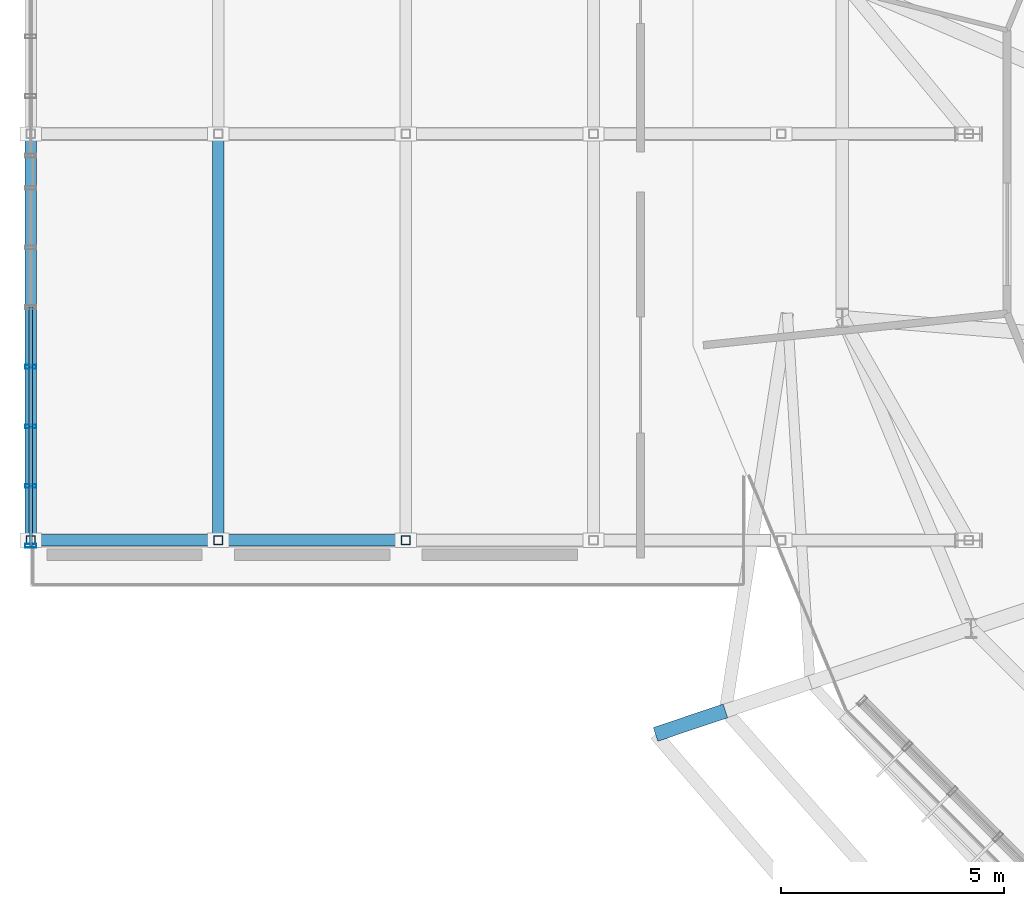
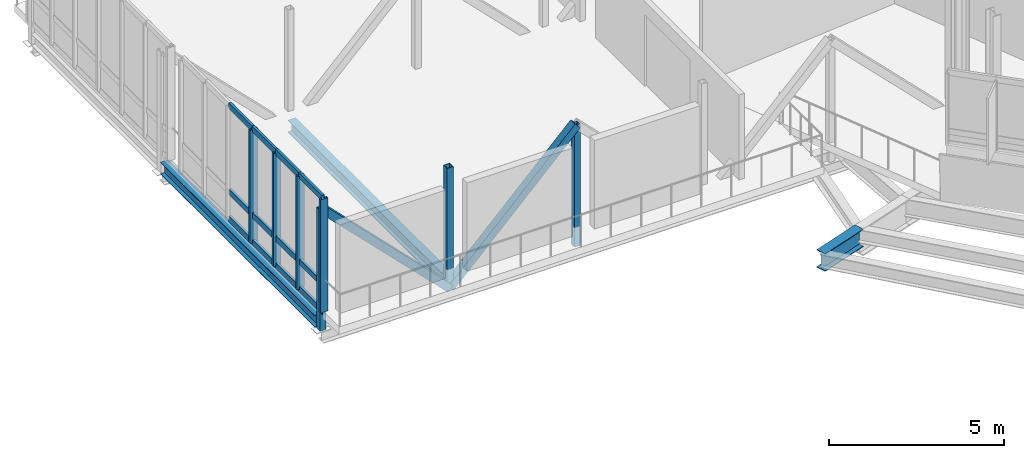
# One storey, part 18 of 107: 21 members, 3 beams, 1 element without a shape of its own.
"""IFC4 building model written with IfcOpenShell, lengths in metres."""

from ifc_helpers import new_model, si_unit, derived_unit, direction, frame, origin, origin_2d, place, context, subcontext, project, spatial, hollow_rectangle, i_section, extrude, material, layer, layer_set, material_profile, profile_set, type_object, element, aggregate, save


model = new_model("IFC4")

# Units and contexts
model_context = context("Model", 3, precision=1e-05, world=origin(), true_north=direction((0.0, 1.0)))
body_context = subcontext(model_context, "Body", "Model", "MODEL_VIEW")
ifc_project = project(units=[si_unit("LENGTHUNIT", "METRE"), si_unit("AREAUNIT", "SQUARE_METRE"), si_unit("VOLUMEUNIT", "CUBIC_METRE"), si_unit("PLANEANGLEUNIT", "RADIAN"), si_unit("MASSUNIT", "GRAM", prefix="KILO"), derived_unit("THERMALTRANSMITTANCEUNIT", [(si_unit("MASSUNIT", "GRAM", prefix="KILO"), 1), (si_unit("TIMEUNIT", "SECOND"), -3), (si_unit("THERMODYNAMICTEMPERATUREUNIT", "KELVIN"), -1)])], contexts=[model_context])

# Site, building, storey
site_placement = place(None, origin())
site = spatial("IfcSite", under=ifc_project, at=site_placement, CompositionType="ELEMENT")
building_placement = place(site_placement, origin())
building = spatial("IfcBuilding", under=site, at=building_placement, Name="Makaiwela Harbour Ferry Terminal", CompositionType="ELEMENT")
storey_placement = place(building_placement, frame((0.0, 0.0, 9.60009765625)))
storey = spatial("IfcBuildingStorey", under=building, at=storey_placement, Name="L02", CompositionType="ELEMENT", Elevation=9.60009765625)

# Curtain wall, members
ifc_material_1 = material(Name="Marine anodised aluminium 6063-T6", Category="aluminium")
ifc_layer = layer(ifc_material_1, 0.199951171875)
ifc_layer_set = layer_set([ifc_layer], Name="Marine anodised aluminium 6063-T6")
curtain_wall_type = type_object("IfcCurtainWallType", Name="ENV-CW-23", PredefinedType="USERDEFINED", material=ifc_layer_set)
curtain_wall_placement = place(storey_placement, origin())
curtain_wall = element("IfcCurtainWall", 1, at=curtain_wall_placement, inside=storey, type_object=curtain_wall_type, Name="Unitised Curtain Wall CWA-138", ObjectType="UNITIZED CURTAIN WALL", PredefinedType="USERDEFINED")
ifc_material_profile_1 = material_profile(ifc_material_1, hollow_rectangle(XDim=0.0849609375, YDim=0.25, WallThickness=0.0048828125, at=origin_2d()), Name="CWM-250X85")
ifc_profile_set_1 = profile_set([ifc_material_profile_1], Name="Marine anodised aluminium 6063-T6")
member_type_1 = type_object("IfcMemberType", Name="CW-MUL-250", PredefinedType="MULLION", material=ifc_profile_set_1)
member_1_placement = place(storey_placement, frame((0.0, 59.22998046875, 0.0), z_axis=(0.0, 0.0, 1.0), x_axis=(0.0, 1.0, 0.0)))
member_1 = element("IfcMember", 2, at=member_1_placement, type_object=member_type_1, Name="Curtain Wall Mullion CWA-138-1", PredefinedType="MULLION", context=body_context, shape_type="SweptSolid", body=[
    extrude(hollow_rectangle(XDim=0.0849609375, YDim=0.25, WallThickness=0.0048828125, at=origin_2d()), origin(), (0.0, 0.0, 1.0), 3.949951171875),
])
member_2_placement = place(storey_placement, frame((0.0, 60.56494140625, 0.0), z_axis=(0.0, 0.0, 1.0), x_axis=(0.0, 1.0, 0.0)))
member_2 = element("IfcMember", 3, at=member_2_placement, type_object=member_type_1, Name="Curtain Wall Mullion CWA-138-2", PredefinedType="MULLION", context=body_context, shape_type="SweptSolid", body=[
    extrude(hollow_rectangle(XDim=0.0849609375, YDim=0.25, WallThickness=0.0048828125, at=origin_2d()), origin(), (0.0, 0.0, 1.0), 3.949951171875),
])
member_3_placement = place(storey_placement, frame((0.0, 61.89990234375, 0.0), z_axis=(0.0, 0.0, 1.0), x_axis=(0.0, 1.0, 0.0)))
member_3 = element("IfcMember", 4, at=member_3_placement, type_object=member_type_1, Name="Curtain Wall Mullion CWA-138-3", PredefinedType="MULLION", context=body_context, shape_type="SweptSolid", body=[
    extrude(hollow_rectangle(XDim=0.0849609375, YDim=0.25, WallThickness=0.0048828125, at=origin_2d()), origin(), (0.0, 0.0, 1.0), 3.949951171875),
])
member_4_placement = place(storey_placement, frame((0.0, 63.235107421875, 0.0), z_axis=(0.0, 0.0, 1.0), x_axis=(0.0, 1.0, 0.0)))
member_4 = element("IfcMember", 5, at=member_4_placement, type_object=member_type_1, Name="Curtain Wall Mullion CWA-138-4", PredefinedType="MULLION", context=body_context, shape_type="SweptSolid", body=[
    extrude(hollow_rectangle(XDim=0.0849609375, YDim=0.25, WallThickness=0.0048828125, at=origin_2d()), origin(), (0.0, 0.0, 1.0), 3.949951171875),
])
ifc_material_profile_2 = material_profile(ifc_material_1, hollow_rectangle(XDim=0.0849609375, YDim=0.199951171875, WallThickness=0.0048828125, at=origin_2d()), Name="CWT-200X85")
ifc_profile_set_2 = profile_set([ifc_material_profile_2], Name="Marine anodised aluminium 6063-T6")
member_type_2 = type_object("IfcMemberType", Name="CW-TRN-200", PredefinedType="USERDEFINED", material=ifc_profile_set_2)
member_5_placement = place(storey_placement, frame((0.0, 59.22998046875, 0.0), z_axis=(0.0, 1.0, 0.0), x_axis=(-1.0, 0.0, 0.0)))
member_5 = element("IfcMember", 6, at=member_5_placement, type_object=member_type_2, Name="Curtain Wall Transom CWA-138-1-1", ObjectType="TRANSOM", PredefinedType="USERDEFINED", context=body_context, shape_type="SweptSolid", body=[
    extrude(hollow_rectangle(XDim=0.0849609375, YDim=0.199951171875, WallThickness=0.0048828125, at=origin_2d()), origin(), (0.0, 0.0, 1.0), 1.3349609375),
])
member_6_placement = place(storey_placement, frame((0.0, 59.22998046875, 0.949951171875), z_axis=(0.0, 1.0, 0.0), x_axis=(-1.0, 0.0, 0.0)))
member_6 = element("IfcMember", 7, at=member_6_placement, type_object=member_type_2, Name="Curtain Wall Transom CWA-138-1-2", ObjectType="TRANSOM", PredefinedType="USERDEFINED", context=body_context, shape_type="SweptSolid", body=[
    extrude(hollow_rectangle(XDim=0.0849609375, YDim=0.199951171875, WallThickness=0.0048828125, at=origin_2d()), origin(), (0.0, 0.0, 1.0), 1.3349609375),
])
member_7_placement = place(storey_placement, frame((0.0, 59.22998046875, 3.949951171875), z_axis=(0.0, 1.0, 0.0), x_axis=(-1.0, 0.0, 0.0)))
member_7 = element("IfcMember", 8, at=member_7_placement, type_object=member_type_2, Name="Curtain Wall Transom CWA-138-1-3", ObjectType="TRANSOM", PredefinedType="USERDEFINED", context=body_context, shape_type="SweptSolid", body=[
    extrude(hollow_rectangle(XDim=0.0849609375, YDim=0.199951171875, WallThickness=0.0048828125, at=origin_2d()), origin(), (0.0, 0.0, 1.0), 1.3349609375),
])
member_8_placement = place(storey_placement, frame((0.0, 60.56494140625, 0.0), z_axis=(0.0, 1.0, 0.0), x_axis=(-1.0, 0.0, 0.0)))
member_8 = element("IfcMember", 9, at=member_8_placement, type_object=member_type_2, Name="Curtain Wall Transom CWA-138-2-1", ObjectType="TRANSOM", PredefinedType="USERDEFINED", context=body_context, shape_type="SweptSolid", body=[
    extrude(hollow_rectangle(XDim=0.0849609375, YDim=0.199951171875, WallThickness=0.0048828125, at=origin_2d()), origin(), (0.0, 0.0, 1.0), 1.3349609375),
])
member_9_placement = place(storey_placement, frame((0.0, 60.56494140625, 0.949951171875), z_axis=(0.0, 1.0, 0.0), x_axis=(-1.0, 0.0, 0.0)))
member_9 = element("IfcMember", 10, at=member_9_placement, type_object=member_type_2, Name="Curtain Wall Transom CWA-138-2-2", ObjectType="TRANSOM", PredefinedType="USERDEFINED", context=body_context, shape_type="SweptSolid", body=[
    extrude(hollow_rectangle(XDim=0.0849609375, YDim=0.199951171875, WallThickness=0.0048828125, at=origin_2d()), origin(), (0.0, 0.0, 1.0), 1.3349609375),
])
member_10_placement = place(storey_placement, frame((0.0, 60.56494140625, 3.949951171875), z_axis=(0.0, 1.0, 0.0), x_axis=(-1.0, 0.0, 0.0)))
member_10 = element("IfcMember", 11, at=member_10_placement, type_object=member_type_2, Name="Curtain Wall Transom CWA-138-2-3", ObjectType="TRANSOM", PredefinedType="USERDEFINED", context=body_context, shape_type="SweptSolid", body=[
    extrude(hollow_rectangle(XDim=0.0849609375, YDim=0.199951171875, WallThickness=0.0048828125, at=origin_2d()), origin(), (0.0, 0.0, 1.0), 1.3349609375),
])
member_11_placement = place(storey_placement, frame((0.0, 61.89990234375, 0.0), z_axis=(0.0, 1.0, 0.0), x_axis=(-1.0, 0.0, 0.0)))
member_11 = element("IfcMember", 12, at=member_11_placement, type_object=member_type_2, Name="Curtain Wall Transom CWA-138-3-1", ObjectType="TRANSOM", PredefinedType="USERDEFINED", context=body_context, shape_type="SweptSolid", body=[
    extrude(hollow_rectangle(XDim=0.0849609375, YDim=0.199951171875, WallThickness=0.0048828125, at=origin_2d()), origin(), (0.0, 0.0, 1.0), 1.335205078125),
])
member_12_placement = place(storey_placement, frame((0.0, 61.89990234375, 0.949951171875), z_axis=(0.0, 1.0, 0.0), x_axis=(-1.0, 0.0, 0.0)))
member_12 = element("IfcMember", 13, at=member_12_placement, type_object=member_type_2, Name="Curtain Wall Transom CWA-138-3-2", ObjectType="TRANSOM", PredefinedType="USERDEFINED", context=body_context, shape_type="SweptSolid", body=[
    extrude(hollow_rectangle(XDim=0.0849609375, YDim=0.199951171875, WallThickness=0.0048828125, at=origin_2d()), origin(), (0.0, 0.0, 1.0), 1.335205078125),
])
member_13_placement = place(storey_placement, frame((0.0, 61.89990234375, 3.949951171875), z_axis=(0.0, 1.0, 0.0), x_axis=(-1.0, 0.0, 0.0)))
member_13 = element("IfcMember", 14, at=member_13_placement, type_object=member_type_2, Name="Curtain Wall Transom CWA-138-3-3", ObjectType="TRANSOM", PredefinedType="USERDEFINED", context=body_context, shape_type="SweptSolid", body=[
    extrude(hollow_rectangle(XDim=0.0849609375, YDim=0.199951171875, WallThickness=0.0048828125, at=origin_2d()), origin(), (0.0, 0.0, 1.0), 1.335205078125),
])
member_14_placement = place(storey_placement, frame((0.0, 63.235107421875, 0.0), z_axis=(0.0, 1.0, 0.0), x_axis=(-1.0, 0.0, 0.0)))
member_14 = element("IfcMember", 15, at=member_14_placement, type_object=member_type_2, Name="Curtain Wall Transom CWA-138-4-1", ObjectType="TRANSOM", PredefinedType="USERDEFINED", context=body_context, shape_type="SweptSolid", body=[
    extrude(hollow_rectangle(XDim=0.0849609375, YDim=0.199951171875, WallThickness=0.0048828125, at=origin_2d()), origin(), (0.0, 0.0, 1.0), 1.3349609375),
])
member_15_placement = place(storey_placement, frame((0.0, 63.235107421875, 0.949951171875), z_axis=(0.0, 1.0, 0.0), x_axis=(-1.0, 0.0, 0.0)))
member_15 = element("IfcMember", 16, at=member_15_placement, type_object=member_type_2, Name="Curtain Wall Transom CWA-138-4-2", ObjectType="TRANSOM", PredefinedType="USERDEFINED", context=body_context, shape_type="SweptSolid", body=[
    extrude(hollow_rectangle(XDim=0.0849609375, YDim=0.199951171875, WallThickness=0.0048828125, at=origin_2d()), origin(), (0.0, 0.0, 1.0), 1.3349609375),
])
member_16_placement = place(storey_placement, frame((0.0, 63.235107421875, 3.949951171875), z_axis=(0.0, 1.0, 0.0), x_axis=(-1.0, 0.0, 0.0)))
member_16 = element("IfcMember", 17, at=member_16_placement, type_object=member_type_2, Name="Curtain Wall Transom CWA-138-4-3", ObjectType="TRANSOM", PredefinedType="USERDEFINED", context=body_context, shape_type="SweptSolid", body=[
    extrude(hollow_rectangle(XDim=0.0849609375, YDim=0.199951171875, WallThickness=0.0048828125, at=origin_2d()), origin(), (0.0, 0.0, 1.0), 1.3349609375),
])
aggregate(curtain_wall, [member_1, member_2, member_3, member_4, member_5, member_6, member_7, member_8, member_9, member_10, member_11, member_12, member_13, member_14, member_15, member_16])

# Members
ifc_material_2 = material(Name="Steel ASTM A500 Grade C", Category="steel")
ifc_material_profile_3 = material_profile(ifc_material_2, hollow_rectangle(XDim=0.25390625, YDim=0.25390625, WallThickness=0.0146484375, at=origin_2d()), Name="HSS10X10X5/8")
ifc_profile_set_3 = profile_set([ifc_material_profile_3], Name="Steel ASTM A500 Grade C")
member_type_3 = type_object("IfcMemberType", Name="STR-BRC-HSS10", PredefinedType="BRACE", material=ifc_profile_set_3)
for number, where, z_axis, x_axis, name in (
    (18, (8.39990234375, 59.35009765625, 3.534423828125), (-0.705423542875, 0.0, -0.708786022124), (0.0, -1.0, 0.0), "Structural Member BR-01"),
    (19, (4.199951171875, 59.35009765625, -0.685546875), (-0.705423542875, 0.0, 0.708786022124), (0.0, -1.0, 0.0), "Structural Member BR-01"),
):
    element("IfcMember", number, at=place(storey_placement, frame(where, z_axis=z_axis, x_axis=x_axis)), inside=storey, type_object=member_type_3, Name=name, PredefinedType="BRACE", context=body_context, shape_type="SweptSolid", body=[
        extrude(hollow_rectangle(XDim=0.25390625, YDim=0.25390625, WallThickness=0.0146484375, at=origin_2d()), origin(), (0.0, 0.0, 1.0), 5.953857421875),
    ])

# Beams
ifc_material_3 = material(Name="Steel ASTM A992 Grade 50", Category="steel")
ifc_material_profile_4 = material_profile(ifc_material_3, i_section(OverallWidth=0.324951171875, OverallDepth=0.615966796875, WebThickness=0.013916015625, FlangeThickness=0.021484375, at=origin_2d()), Name="W24X117")
ifc_profile_set_4 = profile_set([ifc_material_profile_4], Name="Steel ASTM A992 Grade 50")
beam_type_1 = type_object("IfcBeamType", Name="STR-GRD-W24X117", PredefinedType="USERDEFINED", material=ifc_profile_set_4)
beam_placement = place(storey_placement, frame((15.55419921875, 55.531494140625, -0.568115234375), z_axis=(-0.948000469723, -0.318268926233, 0.0), x_axis=(0.318268926233, -0.948000469723, 0.0)))
element("IfcBeam", 20, at=beam_placement, inside=storey, type_object=beam_type_1, Name="Promenade terrace bracket 178", ObjectType="GIRDER", PredefinedType="USERDEFINED", context=body_context, shape_type="SweptSolid", body=[
    extrude(i_section(OverallWidth=0.324951171875, OverallDepth=0.615966796875, WebThickness=0.013916015625, FlangeThickness=0.021484375, at=origin_2d()), origin(), (0.0, 0.0, 1.0), 1.64990234375),
])
ifc_material_profile_5 = material_profile(ifc_material_3, i_section(OverallWidth=0.260986328125, OverallDepth=0.4189453125, WebThickness=0.01171875, FlangeThickness=0.019287109375, at=origin_2d()), Name="W16X77")
ifc_profile_set_5 = profile_set([ifc_material_profile_5], Name="Steel ASTM A992 Grade 50")
beam_type_2 = type_object("IfcBeamType", Name="STR-JST-W16X77", PredefinedType="JOIST", material=ifc_profile_set_5)
for number, where, z_axis, x_axis, name in (
    (21, (4.199951171875, 59.490966796875, -0.469482421875), (0.0, 1.0, 0.0), (-1.0, 0.0, 0.0), "Structural Beam J-02"),
    (22, (0.0, 59.490966796875, -0.469482421875), (0.0, 1.0, 0.0), (-1.0, 0.0, 0.0), "Structural Beam J-02"),
):
    element("IfcBeam", number, at=place(storey_placement, frame(where, z_axis=z_axis, x_axis=x_axis)), inside=storey, type_object=beam_type_2, Name=name, PredefinedType="JOIST", context=body_context, shape_type="SweptSolid", body=[
        extrude(i_section(OverallWidth=0.260986328125, OverallDepth=0.4189453125, WebThickness=0.01171875, FlangeThickness=0.019287109375, at=origin_2d()), origin(), (0.0, 0.0, 1.0), 8.818115234375),
    ])

# Members
ifc_material_profile_6 = material_profile(ifc_material_2, hollow_rectangle(XDim=0.202880859375, YDim=0.202880859375, WallThickness=0.01171875, at=origin_2d()), Name="HSS8X8X1/2")
ifc_profile_set_6 = profile_set([ifc_material_profile_6], Name="Steel ASTM A500 Grade C")
member_type_4 = type_object("IfcMemberType", Name="STR-PST-HSS8", PredefinedType="POST", material=ifc_profile_set_6)
for number, where, z_axis, x_axis, name in (
    (23, (8.39990234375, 59.35009765625, -0.685546875), (0.0, 0.0, 1.0), (1.0, 0.0, 0.0), "Structural Member PS-01"),
    (24, (4.199951171875, 59.35009765625, -0.685546875), (0.0, 0.0, 1.0), (1.0, 0.0, 0.0), "Structural Member PS-01"),
    (25, (0.0, 59.35009765625, -0.685546875), (0.0, 0.0, 1.0), (1.0, 0.0, 0.0), "Structural Member PS-01"),
):
    element("IfcMember", number, at=place(storey_placement, frame(where, z_axis=z_axis, x_axis=x_axis)), inside=storey, type_object=member_type_4, Name=name, PredefinedType="POST", context=body_context, shape_type="SweptSolid", body=[
        extrude(hollow_rectangle(XDim=0.202880859375, YDim=0.202880859375, WallThickness=0.01171875, at=origin_2d()), origin(), (0.0, 0.0, 1.0), 4.219970703125),
    ])

save(model, "model.ifc")
